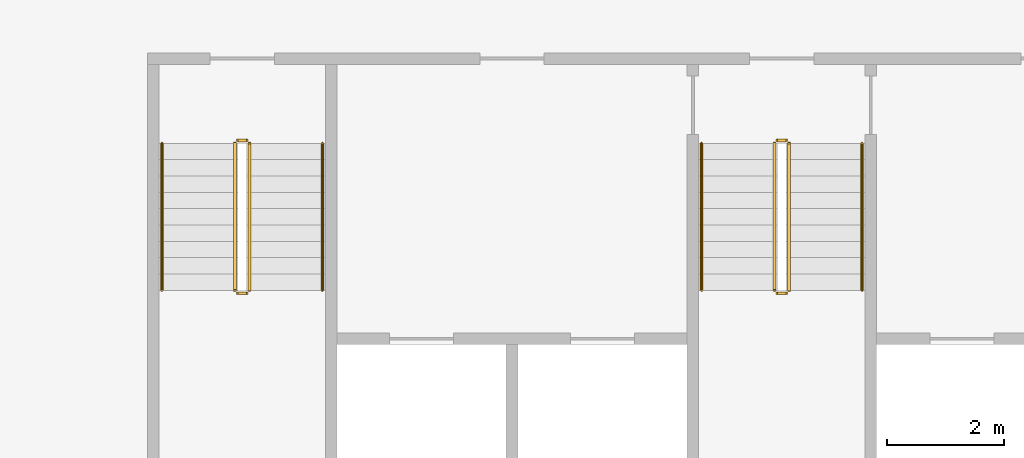
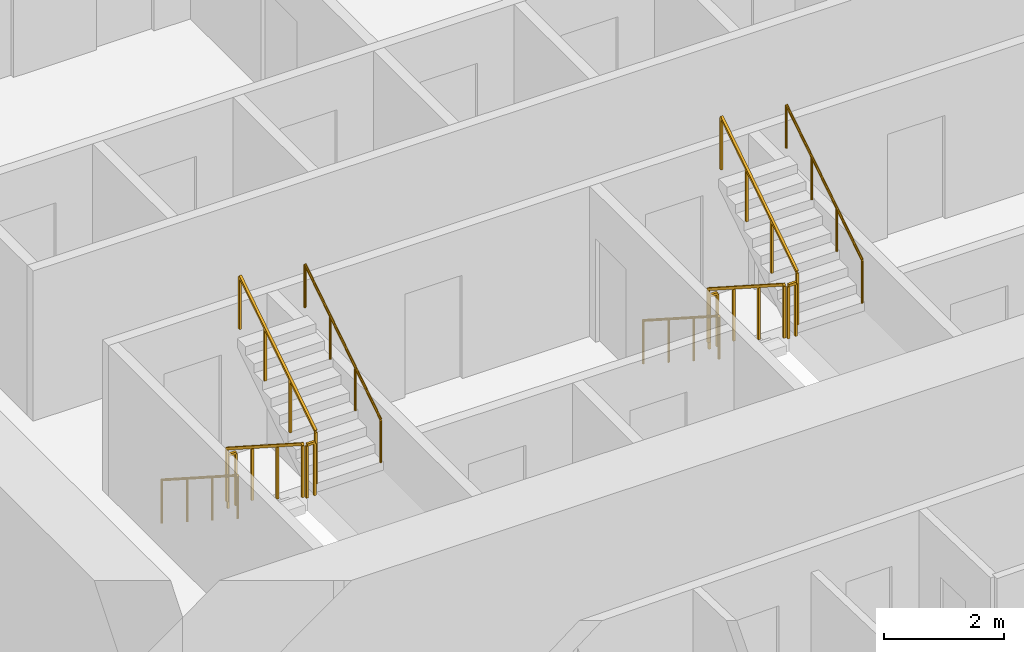
# One storey, part 15 of 17: 12 railings.
"""IFC4 building model written with IfcOpenShell, lengths in metres."""

from ifc_helpers import new_model, si_unit, direction, frame, origin, origin_2d, place, context, subcontext, project, spatial, rectangle, circle, extrude, material, type_object, element, save


model = new_model("IFC4")

# Units and contexts
model_context = context("Model", 3, precision=1e-05, world=origin(), true_north=direction((0.0, 1.0)))
body_context = subcontext(model_context, "Body", "Model", "MODEL_VIEW")
ifc_project = project(units=[si_unit("LENGTHUNIT", "METRE"), si_unit("AREAUNIT", "SQUARE_METRE"), si_unit("VOLUMEUNIT", "CUBIC_METRE"), si_unit("PLANEANGLEUNIT", "RADIAN"), si_unit("MASSUNIT", "GRAM", prefix="KILO")], contexts=[model_context])

# Site, building, storey
site_placement = place(None, origin())
site = spatial("IfcSite", under=ifc_project, at=site_placement, CompositionType="ELEMENT")
building_placement = place(site_placement, origin())
building = spatial("IfcBuilding", under=site, at=building_placement, Name="Mangrove Gate Tower", CompositionType="ELEMENT")
storey_placement = place(building_placement, frame((0.0, 0.0, 86.5)))
storey = spatial("IfcBuildingStorey", under=building, at=storey_placement, Name="L21", CompositionType="ELEMENT", Elevation=86.5)

# Railings
ifc_material_1 = material(Name="Stainless steel 316", Category="steel")
railing_type_1 = type_object("IfcRailingType", Name="Core stair guard 1100", PredefinedType="GUARDRAIL", material=ifc_material_1)
railing_1_placement = place(storey_placement, frame((-9.39990234375, -4.64990234375, 0.179931640625)))
element("IfcRailing", 1, at=railing_1_placement, inside=storey, type_object=railing_type_1, Name="L21 ST1 stair guard 1", PredefinedType="GUARDRAIL", context=body_context, shape_type="SweptSolid", body=[
    extrude(rectangle(XDim=0.048095703125, YDim=0.048095703125, at=origin_2d()), frame((0.0, 0.0, 1.076171875), z_axis=(0.0, -0.841162588446, 0.540782303519), x_axis=(1.0, 0.0, 0.0)), (0.0, 0.0, 1.0), 2.995849609375),
    extrude(rectangle(XDim=0.0419921875, YDim=0.0419921875, at=origin_2d()), origin(), (0.0, 0.0, 1.0), 1.052001953125),
    extrude(rectangle(XDim=0.0419921875, YDim=0.0419921875, at=origin_2d()), frame((0.0, -0.840087890625, 0.5400390625)), (0.0, 0.0, 1.0), 1.052001953125),
    extrude(rectangle(XDim=0.0419921875, YDim=0.0419921875, at=origin_2d()), frame((0.0, -1.679931640625, 1.080078125)), (0.0, 0.0, 1.0), 1.052001953125),
    extrude(rectangle(XDim=0.0419921875, YDim=0.0419921875, at=origin_2d()), frame((0.0, -2.52001953125, 1.6201171875)), (0.0, 0.0, 1.0), 1.052001953125),
])
railing_2_placement = place(storey_placement, frame((-9.35009765625, -7.219970703125, 1.800048828125)))
element("IfcRailing", 2, at=railing_2_placement, inside=storey, type_object=railing_type_1, Name="L21 ST1 stair guard 2", PredefinedType="GUARDRAIL", context=body_context, shape_type="SweptSolid", body=[
    extrude(rectangle(XDim=0.048095703125, YDim=0.048095703125, at=origin_2d()), frame((0.0, 0.0, 1.076171875), z_axis=(1.0, 0.0, 0.0), x_axis=(0.0, 1.0, 0.0)), (0.0, 0.0, 1.0), 0.150146484375),
    extrude(rectangle(XDim=0.0419921875, YDim=0.0419921875, at=origin_2d()), origin(), (0.0, 0.0, 1.0), 1.052001953125),
    extrude(rectangle(XDim=0.0419921875, YDim=0.0419921875, at=origin_2d()), frame((0.150146484375, 0.0, 0.0)), (0.0, 0.0, 1.0), 1.052001953125),
])
railing_3_placement = place(storey_placement, frame((-9.14990234375, -7.169921875, 1.97998046875)))
element("IfcRailing", 3, at=railing_3_placement, inside=storey, type_object=railing_type_1, Name="L21 ST1 stair guard 3", PredefinedType="GUARDRAIL", context=body_context, shape_type="SweptSolid", body=[
    extrude(rectangle(XDim=0.048095703125, YDim=0.048095703125, at=origin_2d()), frame((0.0, 0.0, 1.076171875), z_axis=(0.0, 0.841162588446, 0.540782303519), x_axis=(-1.0, 0.0, 0.0)), (0.0, 0.0, 1.0), 2.995849609375),
    extrude(rectangle(XDim=0.0419921875, YDim=0.0419921875, at=origin_2d()), origin(), (0.0, 0.0, 1.0), 1.052001953125),
    extrude(rectangle(XDim=0.0419921875, YDim=0.0419921875, at=origin_2d()), frame((0.0, 0.840087890625, 0.5400390625)), (0.0, 0.0, 1.0), 1.052001953125),
    extrude(rectangle(XDim=0.0419921875, YDim=0.0419921875, at=origin_2d()), frame((0.0, 1.679931640625, 1.080078125)), (0.0, 0.0, 1.0), 1.052001953125),
    extrude(rectangle(XDim=0.0419921875, YDim=0.0419921875, at=origin_2d()), frame((0.0, 2.52001953125, 1.6201171875)), (0.0, 0.0, 1.0), 1.052001953125),
])
railing_4_placement = place(storey_placement, frame((-9.35009765625, -4.60009765625, 0.0)))
element("IfcRailing", 4, at=railing_4_placement, inside=storey, type_object=railing_type_1, Name="L21 ST1 stair guard 4", PredefinedType="GUARDRAIL", context=body_context, shape_type="SweptSolid", body=[
    extrude(rectangle(XDim=0.048095703125, YDim=0.048095703125, at=origin_2d()), frame((0.0, 0.0, 1.076171875), z_axis=(1.0, 0.0, 0.0), x_axis=(0.0, 1.0, 0.0)), (0.0, 0.0, 1.0), 0.150146484375),
    extrude(rectangle(XDim=0.0419921875, YDim=0.0419921875, at=origin_2d()), origin(), (0.0, 0.0, 1.0), 1.052001953125),
    extrude(rectangle(XDim=0.0419921875, YDim=0.0419921875, at=origin_2d()), frame((0.150146484375, 0.0, 0.0)), (0.0, 0.0, 1.0), 1.052001953125),
])
railing_5_placement = place(storey_placement, frame((-0.14990234375, -4.64990234375, 0.179931640625)))
element("IfcRailing", 5, at=railing_5_placement, inside=storey, type_object=railing_type_1, Name="L21 ST2 stair guard 1", PredefinedType="GUARDRAIL", context=body_context, shape_type="SweptSolid", body=[
    extrude(rectangle(XDim=0.048095703125, YDim=0.048095703125, at=origin_2d()), frame((0.0, 0.0, 1.076171875), z_axis=(0.0, -0.841162588446, 0.540782303519), x_axis=(1.0, 0.0, 0.0)), (0.0, 0.0, 1.0), 2.995849609375),
    extrude(rectangle(XDim=0.0419921875, YDim=0.0419921875, at=origin_2d()), origin(), (0.0, 0.0, 1.0), 1.052001953125),
    extrude(rectangle(XDim=0.0419921875, YDim=0.0419921875, at=origin_2d()), frame((0.0, -0.840087890625, 0.5400390625)), (0.0, 0.0, 1.0), 1.052001953125),
    extrude(rectangle(XDim=0.0419921875, YDim=0.0419921875, at=origin_2d()), frame((0.0, -1.679931640625, 1.080078125)), (0.0, 0.0, 1.0), 1.052001953125),
    extrude(rectangle(XDim=0.0419921875, YDim=0.0419921875, at=origin_2d()), frame((0.0, -2.52001953125, 1.6201171875)), (0.0, 0.0, 1.0), 1.052001953125),
])
railing_6_placement = place(storey_placement, frame((-0.10009765625, -7.219970703125, 1.800048828125)))
element("IfcRailing", 6, at=railing_6_placement, inside=storey, type_object=railing_type_1, Name="L21 ST2 stair guard 2", PredefinedType="GUARDRAIL", context=body_context, shape_type="SweptSolid", body=[
    extrude(rectangle(XDim=0.048095703125, YDim=0.048095703125, at=origin_2d()), frame((0.0, 0.0, 1.076171875), z_axis=(1.0, 0.0, 0.0), x_axis=(0.0, 1.0, 0.0)), (0.0, 0.0, 1.0), 0.150146484375),
    extrude(rectangle(XDim=0.0419921875, YDim=0.0419921875, at=origin_2d()), origin(), (0.0, 0.0, 1.0), 1.052001953125),
    extrude(rectangle(XDim=0.0419921875, YDim=0.0419921875, at=origin_2d()), frame((0.150146484375, 0.0, 0.0)), (0.0, 0.0, 1.0), 1.052001953125),
])
railing_7_placement = place(storey_placement, frame((0.10009765625, -7.169921875, 1.97998046875)))
element("IfcRailing", 7, at=railing_7_placement, inside=storey, type_object=railing_type_1, Name="L21 ST2 stair guard 3", PredefinedType="GUARDRAIL", context=body_context, shape_type="SweptSolid", body=[
    extrude(rectangle(XDim=0.048095703125, YDim=0.048095703125, at=origin_2d()), frame((0.0, 0.0, 1.076171875), z_axis=(0.0, 0.841162588446, 0.540782303519), x_axis=(-1.0, 0.0, 0.0)), (0.0, 0.0, 1.0), 2.995849609375),
    extrude(rectangle(XDim=0.0419921875, YDim=0.0419921875, at=origin_2d()), origin(), (0.0, 0.0, 1.0), 1.052001953125),
    extrude(rectangle(XDim=0.0419921875, YDim=0.0419921875, at=origin_2d()), frame((0.0, 0.840087890625, 0.5400390625)), (0.0, 0.0, 1.0), 1.052001953125),
    extrude(rectangle(XDim=0.0419921875, YDim=0.0419921875, at=origin_2d()), frame((0.0, 1.679931640625, 1.080078125)), (0.0, 0.0, 1.0), 1.052001953125),
    extrude(rectangle(XDim=0.0419921875, YDim=0.0419921875, at=origin_2d()), frame((0.0, 2.52001953125, 1.6201171875)), (0.0, 0.0, 1.0), 1.052001953125),
])
railing_8_placement = place(storey_placement, frame((-0.10009765625, -4.60009765625, 0.0)))
element("IfcRailing", 8, at=railing_8_placement, inside=storey, type_object=railing_type_1, Name="L21 ST2 stair guard 4", PredefinedType="GUARDRAIL", context=body_context, shape_type="SweptSolid", body=[
    extrude(rectangle(XDim=0.048095703125, YDim=0.048095703125, at=origin_2d()), frame((0.0, 0.0, 1.076171875), z_axis=(1.0, 0.0, 0.0), x_axis=(0.0, 1.0, 0.0)), (0.0, 0.0, 1.0), 0.150146484375),
    extrude(rectangle(XDim=0.0419921875, YDim=0.0419921875, at=origin_2d()), origin(), (0.0, 0.0, 1.0), 1.052001953125),
    extrude(rectangle(XDim=0.0419921875, YDim=0.0419921875, at=origin_2d()), frame((0.150146484375, 0.0, 0.0)), (0.0, 0.0, 1.0), 1.052001953125),
])
ifc_material_2 = material(Name="Stainless steel 316", Category="steel")
railing_type_2 = type_object("IfcRailingType", Name="Core stair handrail 900", PredefinedType="HANDRAIL", material=ifc_material_2)
railing_9_placement = place(storey_placement, frame((-10.64990234375, -4.64990234375, 0.179931640625)))
element("IfcRailing", 9, at=railing_9_placement, inside=storey, type_object=railing_type_2, Name="L21 ST1 stair handrail 1", PredefinedType="HANDRAIL", context=body_context, shape_type="SweptSolid", body=[
    extrude(circle(Radius=0.02392578125, at=origin_2d()), frame((0.0, 0.0, 0.8759765625), z_axis=(0.0, -0.841162588446, 0.540782303519), x_axis=(1.0, 0.0, 0.0)), (0.0, 0.0, 1.0), 2.995849609375),
    extrude(circle(Radius=0.02099609375, at=origin_2d()), origin(), (0.0, 0.0, 1.0), 0.851806640625),
    extrude(circle(Radius=0.02099609375, at=origin_2d()), frame((0.0, -0.840087890625, 0.5400390625)), (0.0, 0.0, 1.0), 0.851806640625),
    extrude(circle(Radius=0.02099609375, at=origin_2d()), frame((0.0, -1.679931640625, 1.080078125)), (0.0, 0.0, 1.0), 0.851806640625),
    extrude(circle(Radius=0.02099609375, at=origin_2d()), frame((0.0, -2.52001953125, 1.6201171875)), (0.0, 0.0, 1.0), 0.851806640625),
])
railing_10_placement = place(storey_placement, frame((-7.89990234375, -7.169921875, 1.97998046875)))
element("IfcRailing", 10, at=railing_10_placement, inside=storey, type_object=railing_type_2, Name="L21 ST1 stair handrail 2", PredefinedType="HANDRAIL", context=body_context, shape_type="SweptSolid", body=[
    extrude(circle(Radius=0.02392578125, at=origin_2d()), frame((0.0, 0.0, 0.8759765625), z_axis=(0.0, 0.841162588446, 0.540782303519), x_axis=(-1.0, 0.0, 0.0)), (0.0, 0.0, 1.0), 2.995849609375),
    extrude(circle(Radius=0.02099609375, at=origin_2d()), origin(), (0.0, 0.0, 1.0), 0.851806640625),
    extrude(circle(Radius=0.02099609375, at=origin_2d()), frame((0.0, 0.840087890625, 0.5400390625)), (0.0, 0.0, 1.0), 0.851806640625),
    extrude(circle(Radius=0.02099609375, at=origin_2d()), frame((0.0, 1.679931640625, 1.080078125)), (0.0, 0.0, 1.0), 0.851806640625),
    extrude(circle(Radius=0.02099609375, at=origin_2d()), frame((0.0, 2.52001953125, 1.6201171875)), (0.0, 0.0, 1.0), 0.851806640625),
])
railing_11_placement = place(storey_placement, frame((-1.39990234375, -4.64990234375, 0.179931640625)))
element("IfcRailing", 11, at=railing_11_placement, inside=storey, type_object=railing_type_2, Name="L21 ST2 stair handrail 1", PredefinedType="HANDRAIL", context=body_context, shape_type="SweptSolid", body=[
    extrude(circle(Radius=0.02392578125, at=origin_2d()), frame((0.0, 0.0, 0.8759765625), z_axis=(0.0, -0.841162588446, 0.540782303519), x_axis=(1.0, 0.0, 0.0)), (0.0, 0.0, 1.0), 2.995849609375),
    extrude(circle(Radius=0.02099609375, at=origin_2d()), origin(), (0.0, 0.0, 1.0), 0.851806640625),
    extrude(circle(Radius=0.02099609375, at=origin_2d()), frame((0.0, -0.840087890625, 0.5400390625)), (0.0, 0.0, 1.0), 0.851806640625),
    extrude(circle(Radius=0.02099609375, at=origin_2d()), frame((0.0, -1.679931640625, 1.080078125)), (0.0, 0.0, 1.0), 0.851806640625),
    extrude(circle(Radius=0.02099609375, at=origin_2d()), frame((0.0, -2.52001953125, 1.6201171875)), (0.0, 0.0, 1.0), 0.851806640625),
])
railing_12_placement = place(storey_placement, frame((1.35009765625, -7.169921875, 1.97998046875)))
element("IfcRailing", 12, at=railing_12_placement, inside=storey, type_object=railing_type_2, Name="L21 ST2 stair handrail 2", PredefinedType="HANDRAIL", context=body_context, shape_type="SweptSolid", body=[
    extrude(circle(Radius=0.02392578125, at=origin_2d()), frame((0.0, 0.0, 0.8759765625), z_axis=(0.0, 0.841162588446, 0.540782303519), x_axis=(-1.0, 0.0, 0.0)), (0.0, 0.0, 1.0), 2.995849609375),
    extrude(circle(Radius=0.02099609375, at=origin_2d()), origin(), (0.0, 0.0, 1.0), 0.851806640625),
    extrude(circle(Radius=0.02099609375, at=origin_2d()), frame((0.0, 0.840087890625, 0.5400390625)), (0.0, 0.0, 1.0), 0.851806640625),
    extrude(circle(Radius=0.02099609375, at=origin_2d()), frame((0.0, 1.679931640625, 1.080078125)), (0.0, 0.0, 1.0), 0.851806640625),
    extrude(circle(Radius=0.02099609375, at=origin_2d()), frame((0.0, 2.52001953125, 1.6201171875)), (0.0, 0.0, 1.0), 0.851806640625),
])

save(model, "model.ifc")
